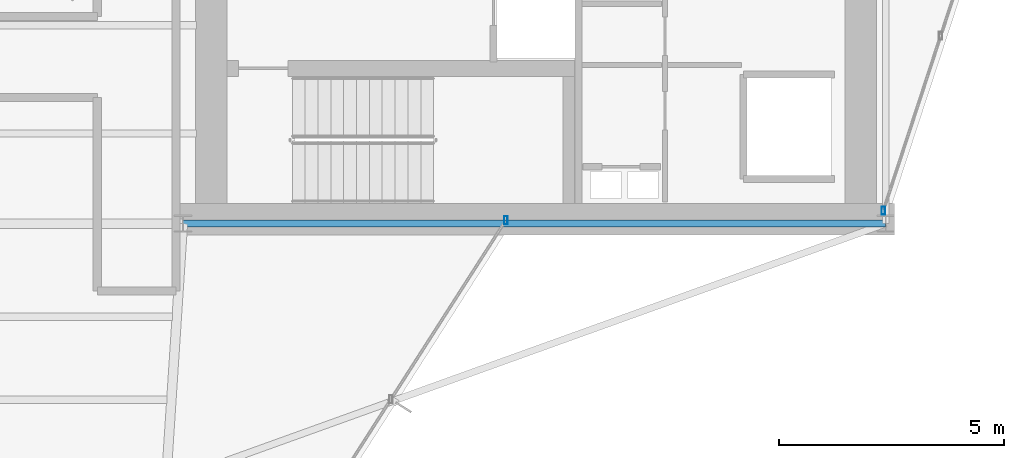
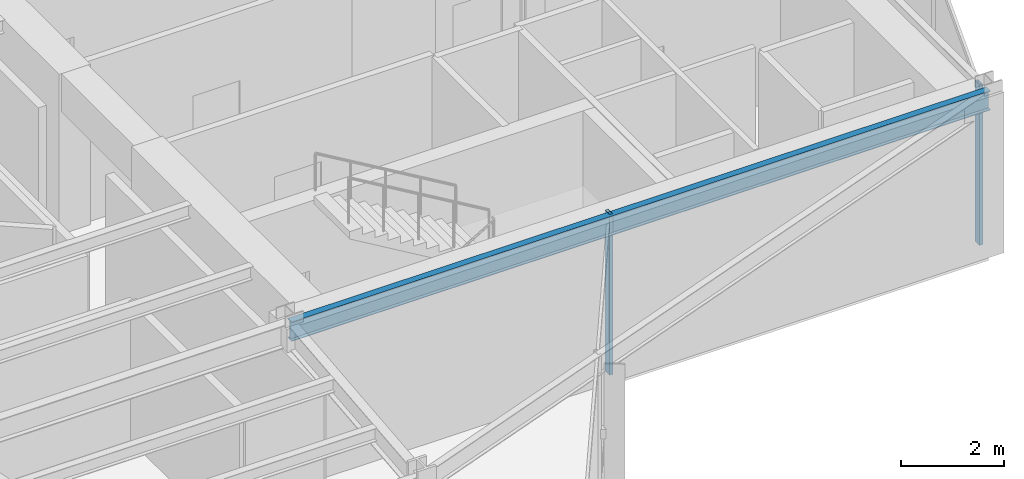
# One storey, part 14 of 23: 2 members, 1 beam, 2 elements without a shape of their own.
"""IFC4 building model written with IfcOpenShell, lengths in metres."""

from ifc_helpers import new_model, si_unit, direction, frame, origin, origin_2d, place, context, subcontext, project, spatial, hollow_rectangle, i_section, extrude, material, layer, layer_set, material_profile, profile_set, type_object, element, aggregate, save


model = new_model("IFC4")

# Units and contexts
model_context = context("Model", 3, precision=1e-05, world=origin(), true_north=direction((0.0, 1.0)))
body_context = subcontext(model_context, "Body", "Model", "MODEL_VIEW")
ifc_project = project(units=[si_unit("LENGTHUNIT", "METRE"), si_unit("AREAUNIT", "SQUARE_METRE"), si_unit("VOLUMEUNIT", "CUBIC_METRE"), si_unit("PLANEANGLEUNIT", "RADIAN"), si_unit("MASSUNIT", "GRAM", prefix="KILO")], contexts=[model_context])

# Site, building, storey
site_placement = place(None, origin())
site = spatial("IfcSite", under=ifc_project, at=site_placement, CompositionType="ELEMENT")
building_placement = place(site_placement, origin())
building = spatial("IfcBuilding", under=site, at=building_placement, Name="Veymaron Broadcast Tower", CompositionType="ELEMENT")
storey_placement = place(building_placement, frame((0.0, 0.0, 195.89990234375)))
storey = spatial("IfcBuildingStorey", under=building, at=storey_placement, Name="L45", CompositionType="ELEMENT", Elevation=195.89990234375)

# Beam
ifc_material_1 = material(Name="Structural steel ASTM A992 Gr 50", Category="steel")
ifc_material_profile_1 = material_profile(ifc_material_1, i_section(OverallWidth=0.154052734375, OverallDepth=0.458984375, WebThickness=0.009033203125, FlangeThickness=0.015380859375, at=origin_2d()), Name="W460X68")
ifc_profile_set_1 = profile_set([ifc_material_profile_1], Name="Structural steel ASTM A992 Gr 50")
beam_type = type_object("IfcBeamType", Name="BM-SP2", PredefinedType="SPANDREL", material=ifc_profile_set_1)
beam_placement = place(storey_placement, frame((39.0, 16.0, 3.560546875), z_axis=(1.0, 0.0, 0.0), x_axis=(0.0, 1.0, 0.0)))
element("IfcBeam", 1, at=beam_placement, inside=storey, type_object=beam_type, Name="L45 primary structural floor girder", PredefinedType="SPANDREL", context=body_context, shape_type="SweptSolid", body=[
    extrude(i_section(OverallWidth=0.154052734375, OverallDepth=0.458984375, WebThickness=0.009033203125, FlangeThickness=0.015380859375, at=origin_2d()), origin(), (0.0, 0.0, 1.0), 15.60009765625),
])

# Curtain wall, member
ifc_material_2 = material(Name="Anodised aluminium AA 6063-T6 and laminated low-E dark glass", Category="aluminium")
ifc_layer = layer(ifc_material_2, 0.179931640625)
ifc_layer_set = layer_set([ifc_layer], Name="Anodised aluminium AA 6063-T6 and laminated low-E dark glass")
curtain_wall_type = type_object("IfcCurtainWallType", Name="CW-SYS-05", PredefinedType="NOTDEFINED", material=ifc_layer_set)
curtain_wall_1_placement = place(storey_placement, origin())
curtain_wall_1 = element("IfcCurtainWall", 2, at=curtain_wall_1_placement, inside=storey, type_object=curtain_wall_type, Name="L45 dark-glass curtain wall CW-L45-E2-1", PredefinedType="NOTDEFINED")
ifc_material_3 = material(Name="Anodised aluminium AA 6063-T6", Category="aluminium")
ifc_material_profile_2 = material_profile(ifc_material_3, hollow_rectangle(XDim=0.074951171875, YDim=0.179931640625, WallThickness=0.0048828125, at=origin_2d()), Name="AL180X75X5")
ifc_profile_set_2 = profile_set([ifc_material_profile_2], Name="Anodised aluminium AA 6063-T6")
member_type = type_object("IfcMemberType", Name="CW-MUL-02", PredefinedType="MULLION", material=ifc_profile_set_2)
member_1_placement = place(storey_placement, frame((54.54736328125, 16.288330078125, 0.0), z_axis=(0.0, 0.0, 1.0), x_axis=(1.0, 0.0, 0.0)))
member_1 = element("IfcMember", 3, at=member_1_placement, type_object=member_type, Name="CW-L45-E2-1 mullion 0", PredefinedType="MULLION", context=body_context, shape_type="SweptSolid", body=[
    extrude(hollow_rectangle(XDim=0.074951171875, YDim=0.179931640625, WallThickness=0.0048828125, at=origin_2d()), origin(), (0.0, 0.0, 1.0), 3.7900390625),
])
aggregate(curtain_wall_1, [member_1])

curtain_wall_2_placement = place(storey_placement, origin())
curtain_wall_2 = element("IfcCurtainWall", 4, at=curtain_wall_2_placement, inside=storey, type_object=curtain_wall_type, Name="L45 dark-glass curtain wall CW-L45-E20-1", PredefinedType="NOTDEFINED")
member_2_placement = place(storey_placement, frame((46.1689453125, 16.07568359375, 0.0), z_axis=(0.0, 0.0, 1.0), x_axis=(1.0, 0.0, 0.0)))
member_2 = element("IfcMember", 5, at=member_2_placement, type_object=member_type, Name="CW-L45-E20-1 mullion 2", PredefinedType="MULLION", context=body_context, shape_type="SweptSolid", body=[
    extrude(hollow_rectangle(XDim=0.074951171875, YDim=0.179931640625, WallThickness=0.0048828125, at=origin_2d()), origin(), (0.0, 0.0, 1.0), 3.7900390625),
])
aggregate(curtain_wall_2, [member_2])

save(model, "model.ifc")
